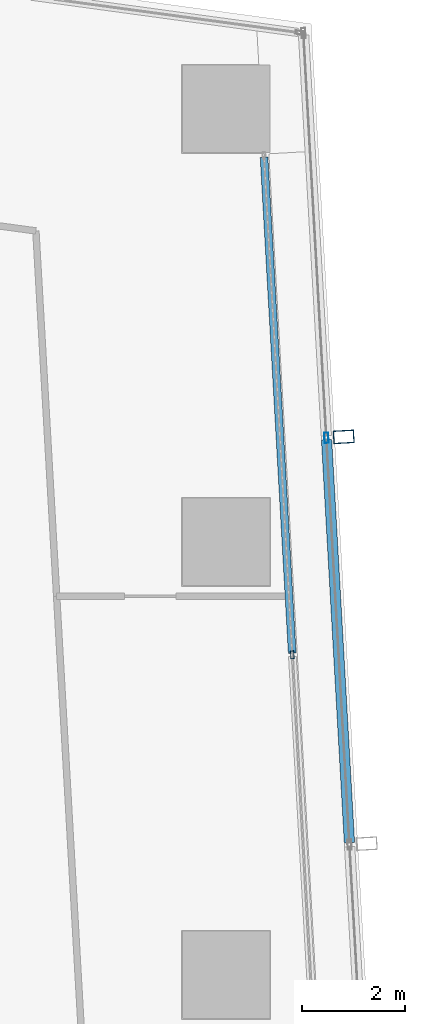
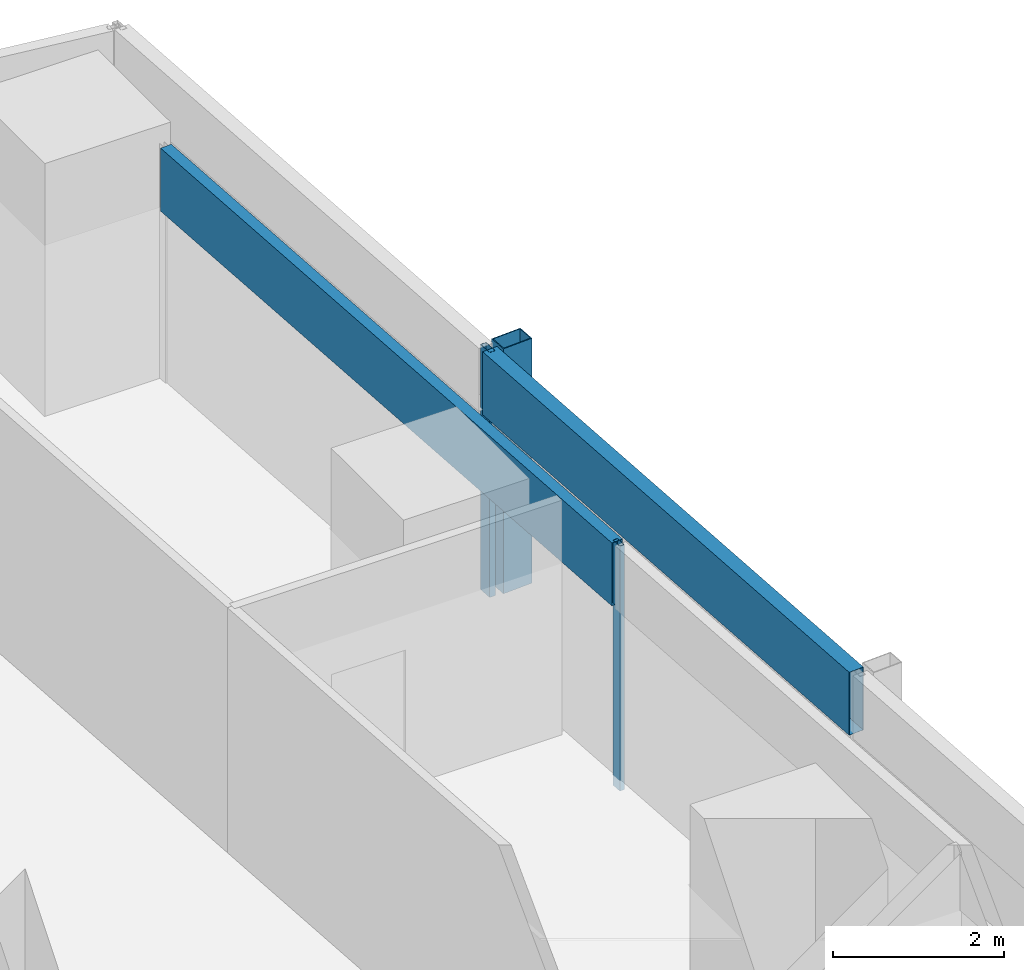
# One storey, part 23 of 39: 5 members, 2 elements without a shape of their own.
"""IFC4 building model written with IfcOpenShell, lengths in metres."""

from ifc_helpers import new_model, si_unit, direction, frame, origin, origin_2d, place, context, subcontext, project, spatial, hollow_rectangle, extrude, material, material_profile, profile_set, type_object, element, aggregate, save


model = new_model("IFC4")

# Units and contexts
model_context = context("Model", 3, precision=1e-05, world=origin(), true_north=direction((0.0, 1.0)))
body_context = subcontext(model_context, "Body", "Model", "MODEL_VIEW")
ifc_project = project(units=[si_unit("LENGTHUNIT", "METRE"), si_unit("AREAUNIT", "SQUARE_METRE"), si_unit("VOLUMEUNIT", "CUBIC_METRE"), si_unit("PLANEANGLEUNIT", "RADIAN"), si_unit("MASSUNIT", "GRAM", prefix="KILO")], contexts=[model_context])

# Site, building, storey
site_placement = place(None, origin())
site = spatial("IfcSite", under=ifc_project, at=site_placement, CompositionType="ELEMENT")
building_placement = place(site_placement, origin())
building = spatial("IfcBuilding", under=site, at=building_placement, Name="Rekha Terrace Tower", CompositionType="ELEMENT")
storey_placement = place(building_placement, frame((0.0, 0.0, 183.949951171875)))
storey = spatial("IfcBuildingStorey", under=building, at=storey_placement, Name="L46", CompositionType="ELEMENT", Elevation=183.949951171875)

# Curtain wall, member
ifc_material_1 = material(Name="Aluminium framing", Category="aluminium")
curtain_wall_type_1 = type_object("IfcCurtainWallType", Name="CW2 double skin outer glazing", PredefinedType="USERDEFINED", material=ifc_material_1)
curtain_wall_1_placement = place(storey_placement, origin())
curtain_wall_1 = element("IfcCurtainWall", 1, at=curtain_wall_1_placement, inside=storey, type_object=curtain_wall_type_1, Name="CW2 double skin outer glazing", ObjectType="DOUBLE SKIN OUTER GLAZING", PredefinedType="USERDEFINED")
ifc_material_2 = material(Name="Steel S355 with fluorocarbon finish", Category="steel")
ifc_material_profile_1 = material_profile(ifc_material_2, hollow_rectangle(XDim=0.25, YDim=0.39990234375, WallThickness=0.012451171875, at=origin_2d()), Name="RHS400x250x12.5")
ifc_profile_set_1 = profile_set([ifc_material_profile_1], Name="Steel S355 with fluorocarbon finish")
member_type_1 = type_object("IfcMemberType", Name="BL1 facade blade RHS 400 x 250", PredefinedType="USERDEFINED", material=ifc_profile_set_1)
member_1_placement = place(storey_placement, frame((61.080078125, 52.4375, 0.0), z_axis=(0.0, 0.0, 1.0), x_axis=(-0.056673619809, 0.998392758797, 0.0)))
member_1 = element("IfcMember", 2, at=member_1_placement, type_object=member_type_1, Name="Facade blade", ObjectType="FACADE BLADE", PredefinedType="USERDEFINED", context=body_context, shape_type="SweptSolid", body=[
    extrude(hollow_rectangle(XDim=0.25, YDim=0.39990234375, WallThickness=0.012451171875, at=origin_2d()), origin(), (0.0, 0.0, 1.0), 3.5),
])

# Curtain wall, members
curtain_wall_type_2 = type_object("IfcCurtainWallType", Name="CW1 double skin inner glazing", PredefinedType="USERDEFINED", material=ifc_material_1)
curtain_wall_2_placement = place(storey_placement, origin())
curtain_wall_2 = element("IfcCurtainWall", 3, at=curtain_wall_2_placement, inside=storey, type_object=curtain_wall_type_2, Name="CW1 double skin inner glazing", ObjectType="DOUBLE SKIN INNER GLAZING", PredefinedType="USERDEFINED")
ifc_material_3 = material(Name="Aluminium mullion section", Category="aluminium")
ifc_material_profile_2 = material_profile(ifc_material_3, hollow_rectangle(XDim=0.06494140625, YDim=0.14990234375, WallThickness=0.00390625, at=origin_2d()), Name="AL RHS 65x150")
ifc_profile_set_2 = profile_set([ifc_material_profile_2], Name="Aluminium mullion section")
member_type_2 = type_object("IfcMemberType", Name="CW1 mullion RHS 65 x 150", PredefinedType="MULLION", material=ifc_profile_set_2)
member_2_placement = place(storey_placement, frame((60.0830078125, 48.209716796875, 0.0), z_axis=(0.0, 0.0, 1.0), x_axis=(-0.998392782918, -0.056673194877, 0.0)))
member_2 = element("IfcMember", 4, at=member_2_placement, type_object=member_type_2, Name="CW1 mullion 3", PredefinedType="MULLION", context=body_context, shape_type="SweptSolid", body=[
    extrude(hollow_rectangle(XDim=0.06494140625, YDim=0.14990234375, WallThickness=0.00390625, at=origin_2d()), origin(), (0.0, 0.0, 1.0), 3.5),
])
ifc_material_4 = material(Name="Insulated aluminium spandrel box", Category="aluminium")
ifc_material_profile_3 = material_profile(ifc_material_4, hollow_rectangle(XDim=0.14990234375, YDim=0.89990234375, WallThickness=0.0029296875, at=origin_2d()), Name="AL SPANDREL BOX 150x900")
ifc_profile_set_3 = profile_set([ifc_material_profile_3], Name="Insulated aluminium spandrel box")
member_type_3 = type_object("IfcMemberType", Name="CW1 spandrel transom 150 x 900", PredefinedType="USERDEFINED", material=ifc_profile_set_3)
member_3_placement = place(storey_placement, frame((60.081298828125, 48.2421875, 3.050048828125), z_axis=(-0.056668701652, 0.998393037963, 0.0), x_axis=(-0.998393037963, -0.056668701652, 0.0)))
member_3 = element("IfcMember", 5, at=member_3_placement, type_object=member_type_3, Name="CW1 spandrel transom 3", ObjectType="TRANSOM", PredefinedType="USERDEFINED", context=body_context, shape_type="SweptSolid", body=[
    extrude(hollow_rectangle(XDim=0.14990234375, YDim=0.89990234375, WallThickness=0.0029296875, at=origin_2d()), origin(), (0.0, 0.0, 1.0), 9.633056640625),
])
aggregate(curtain_wall_2, [member_2, member_3])

# Member
ifc_material_profile_4 = material_profile(ifc_material_3, hollow_rectangle(XDim=0.080078125, YDim=0.199951171875, WallThickness=0.00390625, at=origin_2d()), Name="AL RHS 80x200")
ifc_profile_set_4 = profile_set([ifc_material_profile_4], Name="Aluminium mullion section")
member_type_4 = type_object("IfcMemberType", Name="CW2 mullion RHS 80 x 200", PredefinedType="MULLION", material=ifc_profile_set_4)
member_4_placement = place(storey_placement, frame((60.74560546875, 52.41845703125, 0.0), z_axis=(0.0, 0.0, 1.0), x_axis=(-0.998392782919, -0.05667319486, 0.0)))
member_4 = element("IfcMember", 6, at=member_4_placement, type_object=member_type_4, Name="CW2 mullion 4", PredefinedType="MULLION", context=body_context, shape_type="SweptSolid", body=[
    extrude(hollow_rectangle(XDim=0.080078125, YDim=0.199951171875, WallThickness=0.00390625, at=origin_2d()), origin(), (0.0, 0.0, 1.0), 3.5),
])

ifc_material_profile_5 = material_profile(ifc_material_4, hollow_rectangle(XDim=0.199951171875, YDim=0.89990234375, WallThickness=0.0029296875, at=origin_2d()), Name="AL SPANDREL BOX 200x900")
ifc_profile_set_5 = profile_set([ifc_material_profile_5], Name="Insulated aluminium spandrel box")
member_type_5 = type_object("IfcMemberType", Name="CW2 spandrel transom 200 x 900", PredefinedType="USERDEFINED", material=ifc_profile_set_5)
member_5_placement = place(storey_placement, frame((61.19140625, 44.567626953125, 3.050048828125), z_axis=(-0.056702299999, 0.998391130357, 0.0), x_axis=(-0.998391130357, -0.056702299999, 0.0)))
member_5 = element("IfcMember", 7, at=member_5_placement, type_object=member_type_5, Name="CW2 spandrel transom 3", ObjectType="TRANSOM", PredefinedType="USERDEFINED", context=body_context, shape_type="SweptSolid", body=[
    extrude(hollow_rectangle(XDim=0.199951171875, YDim=0.89990234375, WallThickness=0.0029296875, at=origin_2d()), origin(), (0.0, 0.0, 1.0), 7.823486328125),
])

aggregate(curtain_wall_1, [member_4, member_5, member_1])

save(model, "model.ifc")
